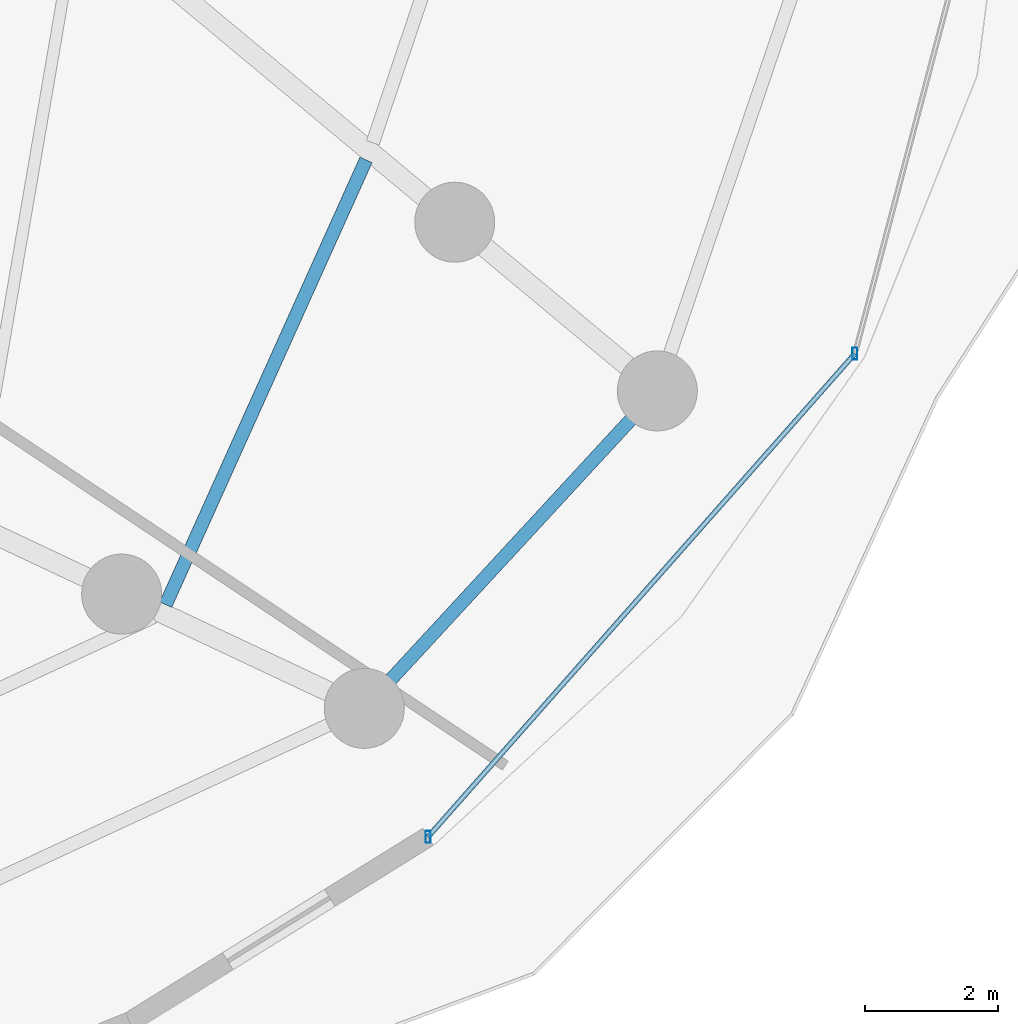
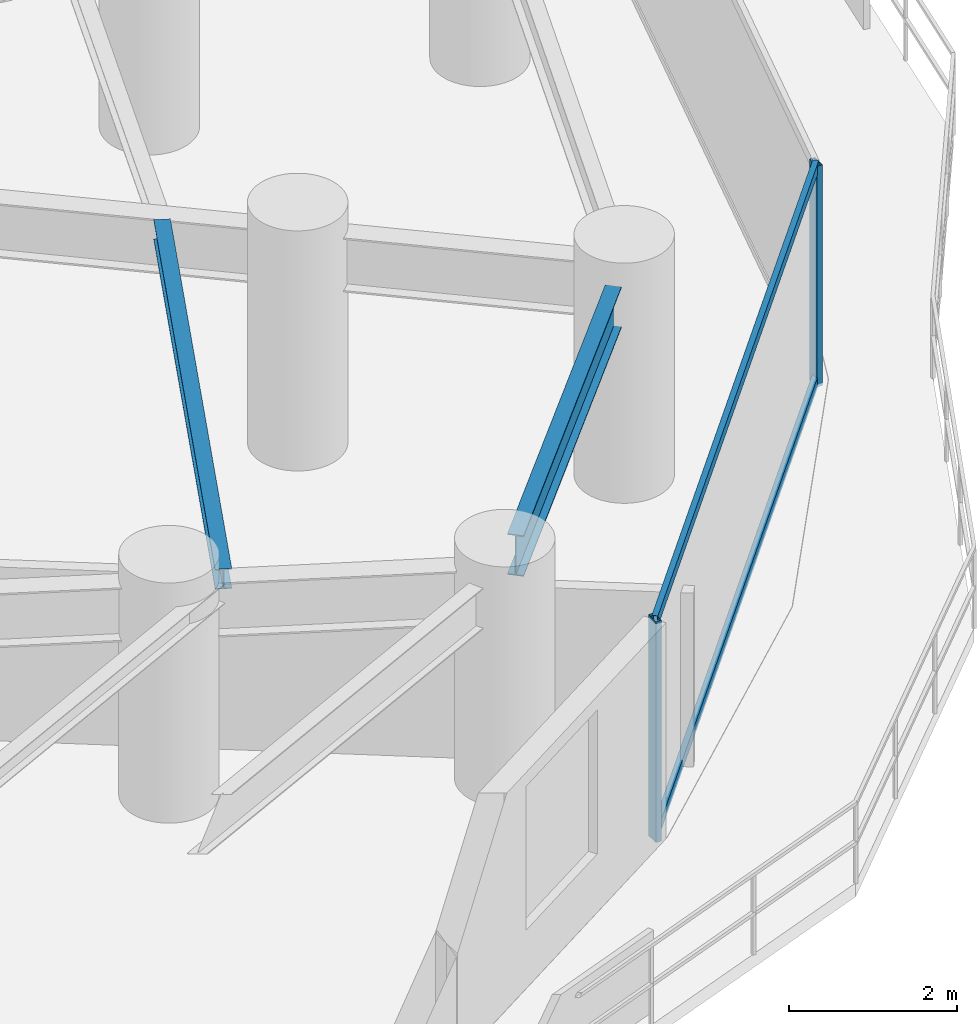
# One storey, part 14 of 34: 4 members, 2 beams, 1 element without a shape of its own.
"""IFC4 building model written with IfcOpenShell, lengths in metres."""

from ifc_helpers import new_model, si_unit, direction, frame, origin, origin_2d, place, context, subcontext, project, spatial, hollow_rectangle, i_section, extrude, material, material_profile, profile_set, type_object, element, aggregate, save


model = new_model("IFC4")

# Units and contexts
model_context = context("Model", 3, precision=1e-05, world=origin(), true_north=direction((0.0, 1.0)))
body_context = subcontext(model_context, "Body", "Model", "MODEL_VIEW")
ifc_project = project(units=[si_unit("LENGTHUNIT", "METRE"), si_unit("AREAUNIT", "SQUARE_METRE"), si_unit("VOLUMEUNIT", "CUBIC_METRE"), si_unit("PLANEANGLEUNIT", "RADIAN"), si_unit("MASSUNIT", "GRAM", prefix="KILO")], contexts=[model_context])

# Site, building, storey
site_placement = place(None, origin())
site = spatial("IfcSite", under=ifc_project, at=site_placement, CompositionType="ELEMENT")
building_placement = place(site_placement, origin())
building = spatial("IfcBuilding", under=site, at=building_placement, Name="Vorneva Point Tower", CompositionType="ELEMENT")
storey_placement = place(building_placement, frame((0.0, 0.0, 66.0)))
storey = spatial("IfcBuildingStorey", under=building, at=storey_placement, Name="L17", CompositionType="ELEMENT", Elevation=66.0)

# Beams
ifc_material_1 = material(Name="Steel S355", Category="steel")
ifc_material_profile_1 = material_profile(ifc_material_1, i_section(OverallWidth=0.199951171875, OverallDepth=0.291015625, WebThickness=0.008056640625, FlangeThickness=0.010986328125, at=origin_2d()), Name="30Sh1")
ifc_profile_set_1 = profile_set([ifc_material_profile_1], Name="Steel S355")
beam_type_1 = type_object("IfcBeamType", Name="BM-SEC-30Sh1", PredefinedType="BEAM", material=ifc_profile_set_1)
beam_1_placement = place(storey_placement, frame((54.958740234375, 13.6796875, 3.00439453125), z_axis=(0.410729425831, 0.911757280616, 0.0), x_axis=(-0.911757280616, 0.410729425831, 0.0)))
element("IfcBeam", 1, at=beam_1_placement, inside=storey, type_object=beam_type_1, Name="L17 Secondary Floor Beam 1.15", PredefinedType="BEAM", context=body_context, shape_type="SweptSolid", body=[
    extrude(i_section(OverallWidth=0.199951171875, OverallDepth=0.291015625, WebThickness=0.008056640625, FlangeThickness=0.010986328125, at=origin_2d()), origin(), (0.0, 0.0, 1.0), 7.31884765625),
])
ifc_material_profile_2 = material_profile(ifc_material_1, i_section(OverallWidth=0.198974609375, OverallDepth=0.595947265625, WebThickness=0.010009765625, FlangeThickness=0.014892578125, at=origin_2d()), Name="60B1")
ifc_profile_set_2 = profile_set([ifc_material_profile_2], Name="Steel S355")
beam_type_2 = type_object("IfcBeamType", Name="BM-SPN-60B1", PredefinedType="SPANDREL", material=ifc_profile_set_2)
beam_2_placement = place(storey_placement, frame((58.33544921875, 12.553955078125, 2.85205078125), z_axis=(0.678272466193, 0.734810493668, 0.0), x_axis=(-0.734810493668, 0.678272466193, 0.0)))
element("IfcBeam", 2, at=beam_2_placement, inside=storey, type_object=beam_type_2, Name="L17 Perimeter Spandrel Ring Beam 15", PredefinedType="SPANDREL", context=body_context, shape_type="SweptSolid", body=[
    extrude(i_section(OverallWidth=0.198974609375, OverallDepth=0.595947265625, WebThickness=0.010009765625, FlangeThickness=0.014892578125, at=origin_2d()), origin(), (0.0, 0.0, 1.0), 5.311279296875),
])

# Curtain wall, members
ifc_material_2 = material(Name="Pale anodised aluminium", Category="aluminium")
curtain_wall_type = type_object("IfcCurtainWallType", Name="CW-HTL-SYS", PredefinedType="NOTDEFINED", material=ifc_material_2)
curtain_wall_placement = place(storey_placement, origin())
curtain_wall = element("IfcCurtainWall", 3, at=curtain_wall_placement, inside=storey, type_object=curtain_wall_type, Name="L17 Unitised Curtain Wall CW-L17-R01", PredefinedType="NOTDEFINED")
ifc_material_profile_3 = material_profile(ifc_material_2, hollow_rectangle(XDim=0.074951171875, YDim=0.179931640625, WallThickness=0.00390625, at=origin_2d()), Name="AL-MUL 180x75x4")
ifc_profile_set_3 = profile_set([ifc_material_profile_3], Name="Pale anodised aluminium")
member_type_1 = type_object("IfcMemberType", Name="CW-MUL-180", PredefinedType="MULLION", material=ifc_profile_set_3)
member_1_placement = place(storey_placement, frame((58.89501953125, 10.1962890625, -0.0400390625), z_axis=(0.0, 0.0, 1.0), x_axis=(1.0, 0.0, 0.0)))
member_1 = element("IfcMember", 4, at=member_1_placement, type_object=member_type_1, Name="CW-L17-R01 Mullion 01", PredefinedType="MULLION", context=body_context, shape_type="SweptSolid", body=[
    extrude(hollow_rectangle(XDim=0.074951171875, YDim=0.179931640625, WallThickness=0.00390625, at=origin_2d()), origin(), (0.0, 0.0, 1.0), 3.219970703125),
])
member_2_placement = place(storey_placement, frame((65.300537109375, 17.447021484375, -0.0400390625), z_axis=(0.0, 0.0, 1.0), x_axis=(1.0, 0.0, 0.0)))
member_2 = element("IfcMember", 5, at=member_2_placement, type_object=member_type_1, Name="CW-L17-R01 Mullion 02", PredefinedType="MULLION", context=body_context, shape_type="SweptSolid", body=[
    extrude(hollow_rectangle(XDim=0.074951171875, YDim=0.179931640625, WallThickness=0.00390625, at=origin_2d()), origin(), (0.0, 0.0, 1.0), 3.219970703125),
])
ifc_material_profile_4 = material_profile(ifc_material_2, hollow_rectangle(XDim=0.074951171875, YDim=0.14990234375, WallThickness=0.00390625, at=origin_2d()), Name="AL-TRN 150x75x4")
ifc_profile_set_4 = profile_set([ifc_material_profile_4], Name="Pale anodised aluminium")
member_type_2 = type_object("IfcMemberType", Name="CW-TRN-150", PredefinedType="USERDEFINED", material=ifc_profile_set_4)
member_3_placement = place(storey_placement, frame((58.89501953125, 10.1962890625, 0.02001953125), z_axis=(0.662075539029, 0.749437109182, 0.0), x_axis=(-0.749437109182, 0.662075539029, 0.0)))
member_3 = element("IfcMember", 6, at=member_3_placement, type_object=member_type_2, Name="CW-L17-R01 Transom 01.1", ObjectType="TRANSOM", PredefinedType="USERDEFINED", context=body_context, shape_type="SweptSolid", body=[
    extrude(hollow_rectangle(XDim=0.074951171875, YDim=0.14990234375, WallThickness=0.00390625, at=origin_2d()), origin(), (0.0, 0.0, 1.0), 9.6748046875),
])
member_4_placement = place(storey_placement, frame((58.89501953125, 10.1962890625, 3.1298828125), z_axis=(0.662075539029, 0.749437109182, 0.0), x_axis=(-0.749437109182, 0.662075539029, 0.0)))
member_4 = element("IfcMember", 7, at=member_4_placement, type_object=member_type_2, Name="CW-L17-R01 Transom 01.2", ObjectType="TRANSOM", PredefinedType="USERDEFINED", context=body_context, shape_type="SweptSolid", body=[
    extrude(hollow_rectangle(XDim=0.074951171875, YDim=0.14990234375, WallThickness=0.00390625, at=origin_2d()), origin(), (0.0, 0.0, 1.0), 9.6748046875),
])
aggregate(curtain_wall, [member_1, member_2, member_3, member_4])

save(model, "model.ifc")
